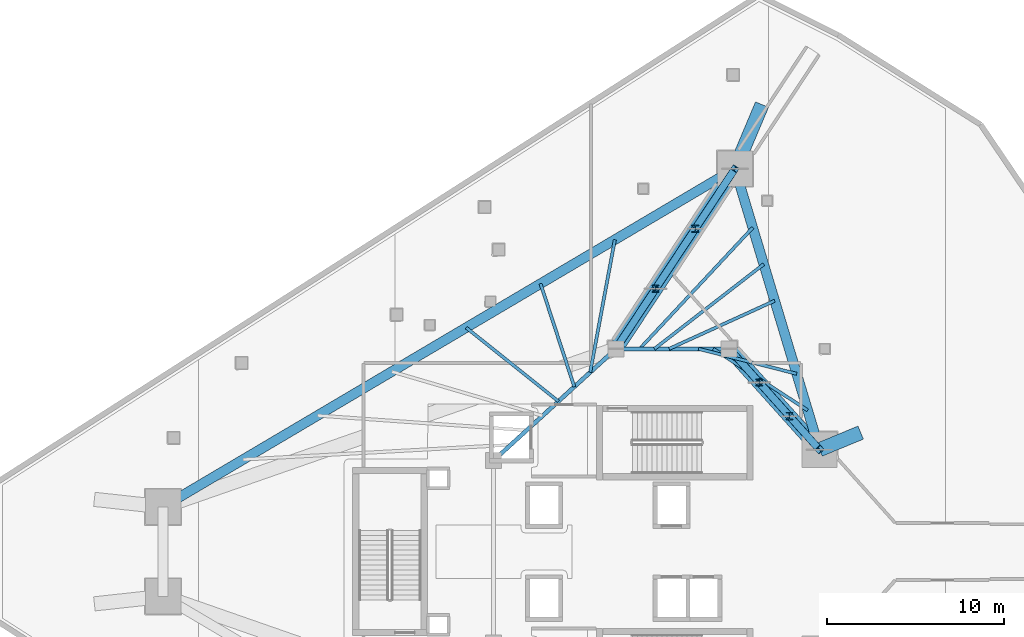
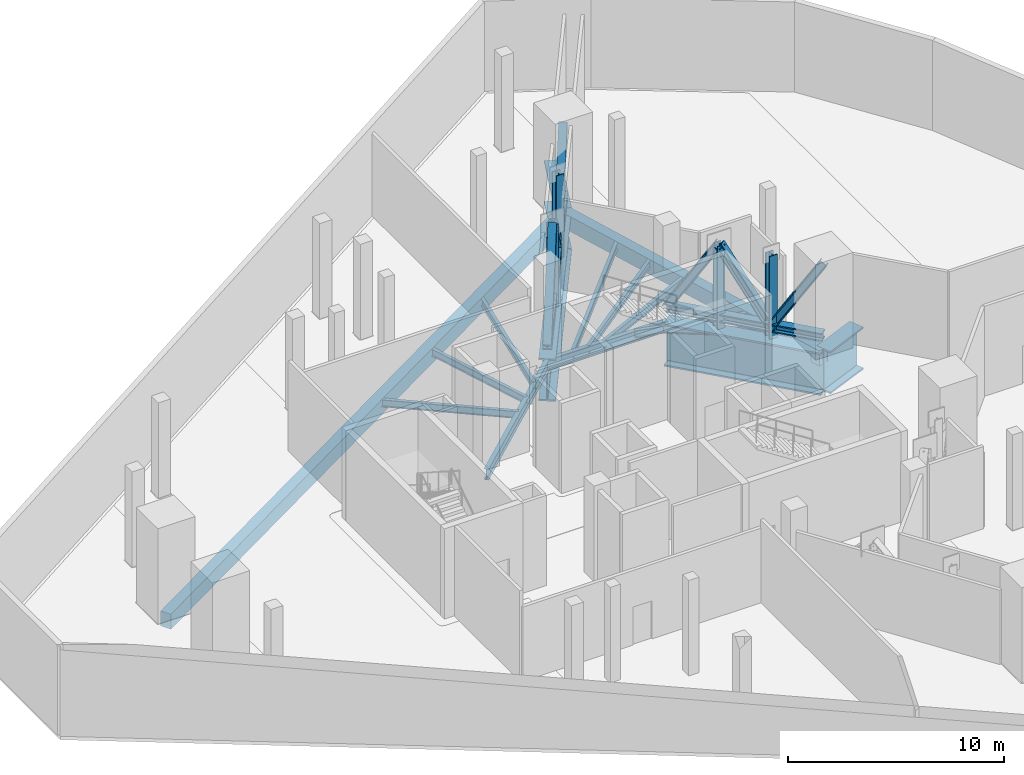
# One storey, part 2 of 13: 16 beams, 16 members.
"""IFC4 building model written with IfcOpenShell, lengths in metres."""

from ifc_helpers import new_model, si_unit, direction, frame, origin, origin_2d, place, context, subcontext, project, spatial, rectangle, i_section, extrude, material, material_profile, profile_set, type_object, element, save


model = new_model("IFC4")

# Units and contexts
model_context = context("Model", 3, precision=1e-05, world=origin(), true_north=direction((0.0, 1.0)))
body_context = subcontext(model_context, "Body", "Model", "MODEL_VIEW")
ifc_project = project(units=[si_unit("LENGTHUNIT", "METRE"), si_unit("AREAUNIT", "SQUARE_METRE"), si_unit("VOLUMEUNIT", "CUBIC_METRE"), si_unit("PLANEANGLEUNIT", "RADIAN"), si_unit("MASSUNIT", "GRAM", prefix="KILO")], contexts=[model_context])

# Site, building, storey
site_placement = place(None, origin())
site = spatial("IfcSite", under=ifc_project, at=site_placement, CompositionType="ELEMENT")
building_placement = place(site_placement, origin())
building = spatial("IfcBuilding", under=site, at=building_placement, Name="Qorvath Tower", CompositionType="ELEMENT")
storey_placement = place(building_placement, frame((0.0, 0.0, 174.60009765625)))
storey = spatial("IfcBuildingStorey", under=building, at=storey_placement, Name="L40", CompositionType="ELEMENT", Elevation=174.60009765625)

# Beams
ifc_material_1 = material(Name="Steel ASTM A992 Grade 50", Category="steel")
ifc_material_profile_1 = material_profile(ifc_material_1, i_section(OverallWidth=0.22998046875, OverallDepth=0.616943359375, WebThickness=0.01318359375, FlangeThickness=0.022216796875, FilletRadius=0.014892578125, at=origin_2d()), Name="W24x94")
ifc_profile_set_1 = profile_set([ifc_material_profile_1], Name="Steel ASTM A992 Grade 50")
beam_type_1 = type_object("IfcBeamType", Name="BM-FG6", PredefinedType="BEAM", material=ifc_profile_set_1)
beam_1_placement = place(storey_placement, frame((-23.60009765625, 11.449951171875, -0.608642578125), z_axis=(1.0, 0.0, 0.0), x_axis=(0.0, 1.0, 0.0)))
element("IfcBeam", 1, at=beam_1_placement, inside=storey, type_object=beam_type_1, Name="Core Ring Girder CC1-CC2 L40", PredefinedType="BEAM", context=body_context, shape_type="SweptSolid", body=[
    extrude(i_section(OverallWidth=0.22998046875, OverallDepth=0.616943359375, WebThickness=0.01318359375, FlangeThickness=0.022216796875, FilletRadius=0.014892578125, at=origin_2d()), origin(), (0.0, 0.0, 1.0), 6.400146484375),
])
beam_2_placement = place(storey_placement, frame((-30.5, 5.14990234375, -0.608642578125), z_axis=(0.73847813985, 0.6742774184, 0.0), x_axis=(-0.6742774184, 0.73847813985, 0.0)))
element("IfcBeam", 2, at=beam_2_placement, inside=storey, type_object=beam_type_1, Name="Core Ring Girder CC5-CC1 L40", PredefinedType="BEAM", context=body_context, shape_type="SweptSolid", body=[
    extrude(i_section(OverallWidth=0.22998046875, OverallDepth=0.616943359375, WebThickness=0.01318359375, FlangeThickness=0.022216796875, FilletRadius=0.014892578125, at=origin_2d()), origin(), (0.0, 0.0, 1.0), 9.343505859375),
])
ifc_material_2 = material(Name="Steel ASTM A992 Grade 50", Category="steel")
ifc_material_profile_2 = material_profile(ifc_material_2, i_section(OverallWidth=0.177978515625, OverallDepth=0.406005859375, WebThickness=0.0078125, FlangeThickness=0.0126953125, FilletRadius=0.010986328125, at=origin_2d()), Name="W16x40")
ifc_profile_set_2 = profile_set([ifc_material_profile_2], Name="Steel ASTM A992 Grade 50")
beam_type_2 = type_object("IfcBeamType", Name="BM-FJ3", PredefinedType="JOIST", material=ifc_profile_set_2)
beam_3_placement = place(storey_placement, frame((-18.095947265625, 11.449951171875, -0.503173828125), z_axis=(0.838041756057, -0.545606098853, 0.0), x_axis=(0.545606098853, 0.838041756057, 0.0)))
element("IfcBeam", 3, at=beam_3_placement, inside=storey, type_object=beam_type_2, Name="Composite Floor Joist NE1 L40", PredefinedType="JOIST", context=body_context, shape_type="SweptSolid", body=[
    extrude(i_section(OverallWidth=0.177978515625, OverallDepth=0.406005859375, WebThickness=0.0078125, FlangeThickness=0.0126953125, FilletRadius=0.010986328125, at=origin_2d()), origin(), (0.0, 0.0, 1.0), 6.36083984375),
])
beam_4_placement = place(storey_placement, frame((-18.927978515625, 11.449951171875, -0.503173828125), z_axis=(0.969231577698, -0.246150662794, 0.0), x_axis=(0.246150662794, 0.969231577698, 0.0)))
element("IfcBeam", 4, at=beam_4_placement, inside=storey, type_object=beam_type_2, Name="Composite Floor Joist NE2 L40", PredefinedType="JOIST", context=body_context, shape_type="SweptSolid", body=[
    extrude(i_section(OverallWidth=0.177978515625, OverallDepth=0.406005859375, WebThickness=0.0078125, FlangeThickness=0.0126953125, FilletRadius=0.010986328125, at=origin_2d()), origin(), (0.0, 0.0, 1.0), 5.718017578125),
])
beam_5_placement = place(storey_placement, frame((-20.592041015625, 11.449951171875, -0.503173828125), z_axis=(0.909945081179, 0.414728765868, 0.0), x_axis=(-0.414728765868, 0.909945081179, 0.0)))
element("IfcBeam", 5, at=beam_5_placement, inside=storey, type_object=beam_type_2, Name="Composite Floor Joist NE4 L40", PredefinedType="JOIST", context=body_context, shape_type="SweptSolid", body=[
    extrude(i_section(OverallWidth=0.177978515625, OverallDepth=0.406005859375, WebThickness=0.0078125, FlangeThickness=0.0126953125, FilletRadius=0.010986328125, at=origin_2d()), origin(), (0.0, 0.0, 1.0), 6.554931640625),
])
beam_6_placement = place(storey_placement, frame((-21.424072265625, 11.449951171875, -0.503173828125), z_axis=(0.790693445503, 0.612212279555, 0.0), x_axis=(-0.612212279555, 0.790693445503, 0.0)))
element("IfcBeam", 6, at=beam_6_placement, inside=storey, type_object=beam_type_2, Name="Composite Floor Joist NE5 L40", PredefinedType="JOIST", context=body_context, shape_type="SweptSolid", body=[
    extrude(i_section(OverallWidth=0.177978515625, OverallDepth=0.406005859375, WebThickness=0.0078125, FlangeThickness=0.0126953125, FilletRadius=0.010986328125, at=origin_2d()), origin(), (0.0, 0.0, 1.0), 7.810546875),
])
beam_7_placement = place(storey_placement, frame((-22.256103515625, 11.449951171875, -0.503173828125), z_axis=(0.682249490937, 0.731119437654, 0.0), x_axis=(-0.731119437654, 0.682249490937, 0.0)))
element("IfcBeam", 7, at=beam_7_placement, inside=storey, type_object=beam_type_2, Name="Composite Floor Joist NE6 L40", PredefinedType="JOIST", context=body_context, shape_type="SweptSolid", body=[
    extrude(i_section(OverallWidth=0.177978515625, OverallDepth=0.406005859375, WebThickness=0.0078125, FlangeThickness=0.0126953125, FilletRadius=0.010986328125, at=origin_2d()), origin(), (0.0, 0.0, 1.0), 9.362060546875),
])
beam_8_placement = place(storey_placement, frame((-26.843017578125, 8.489013671875, -0.503173828125), z_axis=(-0.781336553339, 0.624109918537, 0.0), x_axis=(-0.624109918537, -0.781336553339, 0.0)))
element("IfcBeam", 8, at=beam_8_placement, inside=storey, type_object=beam_type_2, Name="Composite Floor Joist NW4 L40", PredefinedType="JOIST", context=body_context, shape_type="SweptSolid", body=[
    extrude(i_section(OverallWidth=0.177978515625, OverallDepth=0.406005859375, WebThickness=0.0078125, FlangeThickness=0.0126953125, FilletRadius=0.010986328125, at=origin_2d()), origin(), (0.0, 0.0, 1.0), 6.667724609375),
])
beam_9_placement = place(storey_placement, frame((-25.946044921875, 9.30810546875, -0.503173828125), z_axis=(-0.311228747452, 0.950335028692, 0.0), x_axis=(-0.950335028692, -0.311228747452, 0.0)))
element("IfcBeam", 9, at=beam_9_placement, inside=storey, type_object=beam_type_2, Name="Composite Floor Joist NW5 L40", PredefinedType="JOIST", context=body_context, shape_type="SweptSolid", body=[
    extrude(i_section(OverallWidth=0.177978515625, OverallDepth=0.406005859375, WebThickness=0.0078125, FlangeThickness=0.0126953125, FilletRadius=0.010986328125, at=origin_2d()), origin(), (0.0, 0.0, 1.0), 6.129638671875),
])
beam_10_placement = place(storey_placement, frame((-25.049072265625, 10.126953125, -0.503173828125), z_axis=(0.183026775988, 0.983107928598, 0.0), x_axis=(-0.983107928598, 0.183026775988, 0.0)))
element("IfcBeam", 10, at=beam_10_placement, inside=storey, type_object=beam_type_2, Name="Composite Floor Joist NW6 L40", PredefinedType="JOIST", context=body_context, shape_type="SweptSolid", body=[
    extrude(i_section(OverallWidth=0.177978515625, OverallDepth=0.406005859375, WebThickness=0.0078125, FlangeThickness=0.0126953125, FilletRadius=0.010986328125, at=origin_2d()), origin(), (0.0, 0.0, 1.0), 7.617919921875),
])
ifc_material_3 = material(Name="Concrete C50/60", Category="concrete")
ifc_material_profile_3 = material_profile(ifc_material_3, rectangle(XDim=0.550048828125, YDim=0.85009765625, at=origin_2d()), Name="RCB 850x550")
ifc_profile_set_3 = profile_set([ifc_material_profile_3], Name="Concrete C50/60")
beam_type_3 = type_object("IfcBeamType", Name="BM-RCB2", PredefinedType="SPANDREL", material=ifc_profile_set_3)
beam_11_placement = place(storey_placement, frame((-12.0966796875, 5.7578125, -0.72509765625), z_axis=(-0.28812763802, 0.957592013443, 0.0), x_axis=(-0.957592013443, -0.28812763802, 0.0)))
element("IfcBeam", 11, at=beam_11_placement, inside=storey, type_object=beam_type_3, Name="Perimeter Loggia Frame Beam MC5-MC6 L40", PredefinedType="SPANDREL", context=body_context, shape_type="SweptSolid", body=[
    extrude(rectangle(XDim=0.550048828125, YDim=0.85009765625, at=origin_2d()), origin(), (0.0, 0.0, 1.0), 16.572265625),
])
beam_12_placement = place(storey_placement, frame((-16.87158203125, 21.627197265625, -0.72509765625), z_axis=(-0.860776759786, -0.50898268125, 0.0), x_axis=(0.50898268125, -0.860776759786, 0.0)))
element("IfcBeam", 12, at=beam_12_placement, inside=storey, type_object=beam_type_3, Name="Perimeter Loggia Frame Beam MC6-MC1 L40", PredefinedType="SPANDREL", context=body_context, shape_type="SweptSolid", body=[
    extrude(rectangle(XDim=0.550048828125, YDim=0.85009765625, at=origin_2d()), origin(), (0.0, 0.0, 1.0), 37.524658203125),
])
ifc_material_4 = material(Name="Steel ASTM A572 Grade 50", Category="steel")
ifc_material_profile_4 = material_profile(ifc_material_4, i_section(OverallWidth=0.800048828125, OverallDepth=2.39990234375, WebThickness=0.044921875, FlangeThickness=0.090087890625, FilletRadius=0.02490234375, at=origin_2d()), Name="WTG 2400x800")
ifc_profile_set_4 = profile_set([ifc_material_profile_4], Name="Steel ASTM A572 Grade 50")
beam_type_4 = type_object("IfcBeamType", Name="BM-TG2", PredefinedType="BEAM", material=ifc_profile_set_4)
beam_13_placement = place(storey_placement, frame((-9.770263671875, 6.721435546875, -1.5), z_axis=(-0.923880939159, -0.3826800364, 0.0), x_axis=(0.3826800364, -0.923880939159, 0.0)))
element("IfcBeam", 13, at=beam_13_placement, inside=storey, type_object=beam_type_4, Name="Zone Step Transfer Tie MC5 L40", PredefinedType="BEAM", context=body_context, shape_type="SweptSolid", body=[
    extrude(i_section(OverallWidth=0.800048828125, OverallDepth=2.39990234375, WebThickness=0.044921875, FlangeThickness=0.090087890625, FilletRadius=0.02490234375, at=origin_2d()), origin(), (0.0, 0.0, 1.0), 2.51806640625),
])
beam_14_placement = place(storey_placement, frame((-12.0966796875, 5.7578125, -1.5), z_axis=(-0.667543184261, 0.744571082669, 0.0), x_axis=(-0.744571082669, -0.667543184261, 0.0)))
element("IfcBeam", 14, at=beam_14_placement, inside=storey, type_object=beam_type_4, Name="Zone Step Transfer Girder CC2-MC5 L40", PredefinedType="BEAM", context=body_context, shape_type="SweptSolid", body=[
    extrude(i_section(OverallWidth=0.800048828125, OverallDepth=2.39990234375, WebThickness=0.044921875, FlangeThickness=0.090087890625, FilletRadius=0.02490234375, at=origin_2d()), origin(), (0.0, 0.0, 1.0), 7.644775390625),
])
beam_15_placement = place(storey_placement, frame((-15.34423828125, 25.24609375, -1.5), z_axis=(-0.388834882539, -0.921307459061, 0.0), x_axis=(0.921307459061, -0.388834882539, 0.0)))
element("IfcBeam", 15, at=beam_15_placement, inside=storey, type_object=beam_type_4, Name="Zone Step Transfer Tie MC6 L40", PredefinedType="BEAM", context=body_context, shape_type="SweptSolid", body=[
    extrude(i_section(OverallWidth=0.800048828125, OverallDepth=2.39990234375, WebThickness=0.044921875, FlangeThickness=0.090087890625, FilletRadius=0.02490234375, at=origin_2d()), origin(), (0.0, 0.0, 1.0), 3.927978515625),
])
beam_16_placement = place(storey_placement, frame((-16.87158203125, 21.627197265625, -1.5), z_axis=(-0.551500517741, -0.834174549439, 0.0), x_axis=(0.834174549439, -0.551500517741, 0.0)))
element("IfcBeam", 16, at=beam_16_placement, inside=storey, type_object=beam_type_4, Name="Zone Step Transfer Girder CC1-MC6 L40", PredefinedType="BEAM", context=body_context, shape_type="SweptSolid", body=[
    extrude(i_section(OverallWidth=0.800048828125, OverallDepth=2.39990234375, WebThickness=0.044921875, FlangeThickness=0.090087890625, FilletRadius=0.02490234375, at=origin_2d()), origin(), (0.0, 0.0, 1.0), 12.200439453125),
])

# Members
ifc_material_5 = material(Name="Steel ASTM A913 Grade 65", Category="steel")
ifc_material_profile_5 = material_profile(ifc_material_5, i_section(OverallWidth=0.4189453125, OverallDepth=0.455078125, WebThickness=0.0419921875, FlangeThickness=0.067626953125, FilletRadius=0.02490234375, at=origin_2d()), Name="W14x370")
ifc_profile_set_5 = profile_set([ifc_material_profile_5], Name="Steel ASTM A913 Grade 65")
member_type_1 = type_object("IfcMemberType", Name="MEM-OT2", PredefinedType="CHORD", material=ifc_profile_set_5)
for number, where, z_axis, x_axis, name in (
    (17, (-23.60009765625, 11.449951171875, 0.449951171875), (0.551523648161, 0.834159256689, 0.0), (-0.834159256689, 0.551523648161, 0.0), "Outrigger and Belt Truss Bottom Chord OB2-1.1"),
    (18, (-21.357177734375, 14.84228515625, 0.449951171875), (0.551481873788, 0.834186875276, 0.0), (-0.834186875276, 0.551481873788, 0.0), "Outrigger and Belt Truss Bottom Chord OB2-1.2"),
):
    element("IfcMember", number, at=place(storey_placement, frame(where, z_axis=z_axis, x_axis=x_axis)), inside=storey, type_object=member_type_1, Name=name, PredefinedType="CHORD", context=body_context, shape_type="SweptSolid", body=[
        extrude(i_section(OverallWidth=0.4189453125, OverallDepth=0.455078125, WebThickness=0.0419921875, FlangeThickness=0.067626953125, FilletRadius=0.02490234375, at=origin_2d()), origin(), (0.0, 0.0, 1.0), 4.066650390625),
    ])
member_1_placement = place(storey_placement, frame((-19.114501953125, 18.234619140625, 0.449951171875), z_axis=(0.551496030523, 0.834177516071, 0.0), x_axis=(-0.834177516071, 0.551496030523, 0.0)))
element("IfcMember", 19, at=member_1_placement, inside=storey, type_object=member_type_1, Name="Outrigger and Belt Truss Bottom Chord OB2-1.3", PredefinedType="CHORD", context=body_context, shape_type="SweptSolid", body=[
    extrude(i_section(OverallWidth=0.4189453125, OverallDepth=0.455078125, WebThickness=0.0419921875, FlangeThickness=0.067626953125, FilletRadius=0.02490234375, at=origin_2d()), origin(), (0.0, 0.0, 1.0), 4.06689453125),
])
member_2_placement = place(storey_placement, frame((-17.199951171875, 11.449951171875, 0.449951171875), z_axis=(0.66753952077, -0.744574367146, 0.0), x_axis=(0.744574367146, 0.66753952077, 0.0)))
element("IfcMember", 20, at=member_2_placement, inside=storey, type_object=member_type_1, Name="Outrigger and Belt Truss Bottom Chord OB2-2.1", PredefinedType="CHORD", context=body_context, shape_type="SweptSolid", body=[
    extrude(i_section(OverallWidth=0.4189453125, OverallDepth=0.455078125, WebThickness=0.0419921875, FlangeThickness=0.067626953125, FilletRadius=0.02490234375, at=origin_2d()), origin(), (0.0, 0.0, 1.0), 2.548095703125),
])
for number, where, z_axis, x_axis, name in (
    (21, (-15.4990234375, 9.552734375, 0.449951171875), (0.667545015752, -0.744569440646, 0.0), (0.744569440646, 0.667545015752, 0.0), "Outrigger and Belt Truss Bottom Chord OB2-2.2"),
    (22, (-13.7978515625, 7.6552734375, 0.449951171875), (0.667545015752, -0.744569440646, 0.0), (0.744569440646, 0.667545015752, 0.0), "Outrigger and Belt Truss Bottom Chord OB2-2.3"),
):
    element("IfcMember", number, at=place(storey_placement, frame(where, z_axis=z_axis, x_axis=x_axis)), inside=storey, type_object=member_type_1, Name=name, PredefinedType="CHORD", context=body_context, shape_type="SweptSolid", body=[
        extrude(i_section(OverallWidth=0.4189453125, OverallDepth=0.455078125, WebThickness=0.0419921875, FlangeThickness=0.067626953125, FilletRadius=0.02490234375, at=origin_2d()), origin(), (0.0, 0.0, 1.0), 2.54833984375),
    ])
ifc_material_6 = material(Name="Steel ASTM A913 Grade 65", Category="steel")
ifc_material_profile_6 = material_profile(ifc_material_6, i_section(OverallWidth=0.406005859375, OverallDepth=0.416015625, WebThickness=0.02978515625, FlangeThickness=0.048095703125, FilletRadius=0.02490234375, at=origin_2d()), Name="W14x257")
ifc_profile_set_6 = profile_set([ifc_material_profile_6], Name="Steel ASTM A913 Grade 65")
member_type_2 = type_object("IfcMemberType", Name="MEM-OT3", PredefinedType="BRACE", material=ifc_profile_set_6)
for number, where, z_axis, x_axis, name in (
    (23, (-21.357177734375, 14.84228515625, -0.150146484375), (0.0, 0.0, 1.0), (1.0, 0.0, 0.0), "Outrigger and Belt Truss Post OB2-1.1"),
    (24, (-19.114501953125, 18.234619140625, -0.150146484375), (0.0, 0.0, 1.0), (1.0, 0.0, 0.0), "Outrigger and Belt Truss Post OB2-1.2"),
):
    element("IfcMember", number, at=place(storey_placement, frame(where, z_axis=z_axis, x_axis=x_axis)), inside=storey, type_object=member_type_2, Name=name, PredefinedType="BRACE", context=body_context, shape_type="SweptSolid", body=[
        extrude(i_section(OverallWidth=0.406005859375, OverallDepth=0.416015625, WebThickness=0.02978515625, FlangeThickness=0.048095703125, FilletRadius=0.02490234375, at=origin_2d()), origin(), (0.0, 0.0, 1.0), 4.699951171875),
    ])
for number, where, z_axis, x_axis, name in (
    (25, (-23.60009765625, 11.449951171875, 0.449951171875), (0.388403074111, 0.587445380949, 0.709965475515), (-0.834159256689, 0.551523648161, 0.0), "Outrigger and Belt Truss Web Diagonal OB2-1.1"),
    (26, (-19.114501953125, 18.234619140625, 0.449951171875), (-0.388367173611, -0.587455026924, 0.709977133296), (0.834186875276, -0.551481873788, 0.0), "Outrigger and Belt Truss Web Diagonal OB2-1.2"),
):
    element("IfcMember", number, at=place(storey_placement, frame(where, z_axis=z_axis, x_axis=x_axis)), inside=storey, type_object=member_type_2, Name=name, PredefinedType="BRACE", context=body_context, shape_type="SweptSolid", body=[
        extrude(i_section(OverallWidth=0.406005859375, OverallDepth=0.416015625, WebThickness=0.02978515625, FlangeThickness=0.048095703125, FilletRadius=0.02490234375, at=origin_2d()), origin(), (0.0, 0.0, 1.0), 5.774658203125),
    ])
member_3_placement = place(storey_placement, frame((-19.114501953125, 18.234619140625, 0.449951171875), z_axis=(0.388393427861, 0.587473067765, 0.709947843046), x_axis=(-0.834177516071, 0.551496030523, 0.0)))
element("IfcMember", 27, at=member_3_placement, inside=storey, type_object=member_type_2, Name="Outrigger and Belt Truss Web Diagonal OB2-1.3", PredefinedType="BRACE", context=body_context, shape_type="SweptSolid", body=[
    extrude(i_section(OverallWidth=0.406005859375, OverallDepth=0.416015625, WebThickness=0.02978515625, FlangeThickness=0.048095703125, FilletRadius=0.02490234375, at=origin_2d()), origin(), (0.0, 0.0, 1.0), 5.77490234375),
])
for number, where, z_axis, x_axis, name in (
    (28, (-15.4990234375, 9.552734375, -0.150146484375), (0.0, 0.0, 1.0), (1.0, 0.0, 0.0), "Outrigger and Belt Truss Post OB2-2.1"),
    (29, (-13.7978515625, 7.6552734375, -0.150146484375), (0.0, 0.0, 1.0), (1.0, 0.0, 0.0), "Outrigger and Belt Truss Post OB2-2.2"),
):
    element("IfcMember", number, at=place(storey_placement, frame(where, z_axis=z_axis, x_axis=x_axis)), inside=storey, type_object=member_type_2, Name=name, PredefinedType="BRACE", context=body_context, shape_type="SweptSolid", body=[
        extrude(i_section(OverallWidth=0.406005859375, OverallDepth=0.416015625, WebThickness=0.02978515625, FlangeThickness=0.048095703125, FilletRadius=0.02490234375, at=origin_2d()), origin(), (0.0, 0.0, 1.0), 4.699951171875),
    ])
member_4_placement = place(storey_placement, frame((-17.199951171875, 11.449951171875, 0.449951171875), z_axis=(0.352366805596, -0.39303034969, 0.849331960152), x_axis=(0.744574367146, 0.66753952077, 0.0)))
element("IfcMember", 30, at=member_4_placement, inside=storey, type_object=member_type_2, Name="Outrigger and Belt Truss Web Diagonal OB2-2.1", PredefinedType="BRACE", context=body_context, shape_type="SweptSolid", body=[
    extrude(i_section(OverallWidth=0.406005859375, OverallDepth=0.416015625, WebThickness=0.02978515625, FlangeThickness=0.048095703125, FilletRadius=0.02490234375, at=origin_2d()), origin(), (0.0, 0.0, 1.0), 4.8271484375),
])
for number, where, z_axis, x_axis, name in (
    (31, (-13.7978515625, 7.6552734375, 0.449951171875), (-0.352404095994, 0.393066107071, 0.849299940303), (-0.744569440646, -0.667545015752, 0.0), "Outrigger and Belt Truss Web Diagonal OB2-2.2"),
    (32, (-13.7978515625, 7.6552734375, 0.449951171875), (0.352404095994, -0.393066107071, 0.849299940303), (0.744569440646, 0.667545015752, 0.0), "Outrigger and Belt Truss Web Diagonal OB2-2.3"),
):
    element("IfcMember", number, at=place(storey_placement, frame(where, z_axis=z_axis, x_axis=x_axis)), inside=storey, type_object=member_type_2, Name=name, PredefinedType="BRACE", context=body_context, shape_type="SweptSolid", body=[
        extrude(i_section(OverallWidth=0.406005859375, OverallDepth=0.416015625, WebThickness=0.02978515625, FlangeThickness=0.048095703125, FilletRadius=0.02490234375, at=origin_2d()), origin(), (0.0, 0.0, 1.0), 4.827392578125),
    ])

save(model, "model.ifc")
